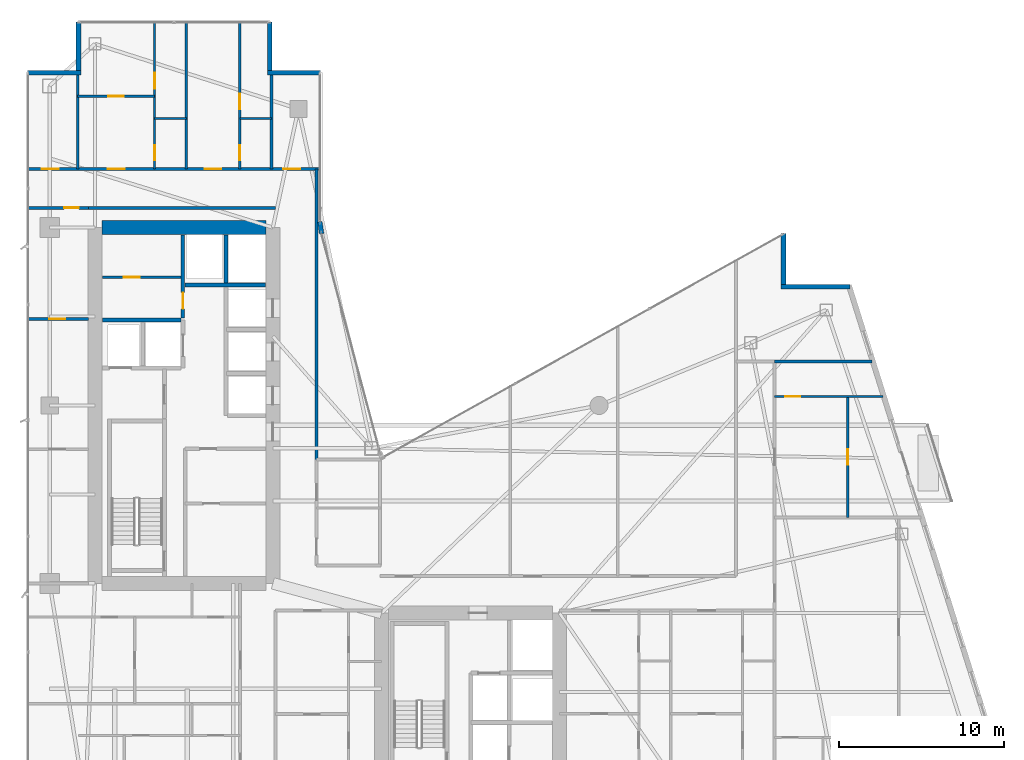
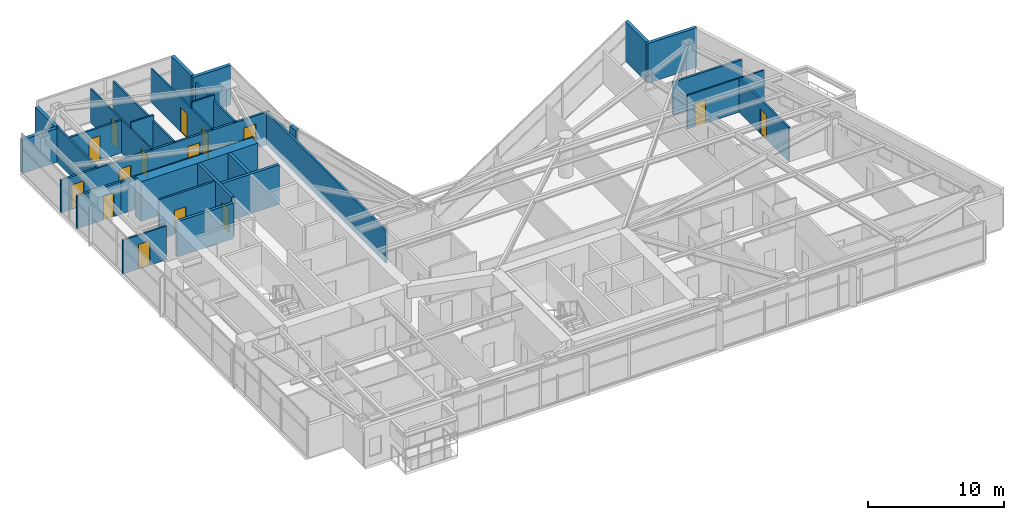
# One storey, part 25 of 28: 29 walls, 15 doors, 15 openings.
"""IFC4 building model written with IfcOpenShell, lengths in metres."""

from ifc_helpers import new_model, si_unit, direction, frame, frame_2d, origin, place, context, subcontext, project, spatial, rectangle, extrude, material, layer, layer_set, type_object, element, fill, save


model = new_model("IFC4")

# Units and contexts
model_context = context("Model", 3, precision=1e-05, world=origin(), true_north=direction((0.0, 1.0)))
body_context = subcontext(model_context, "Body", "Model", "MODEL_VIEW")
ifc_project = project(units=[si_unit("LENGTHUNIT", "METRE"), si_unit("AREAUNIT", "SQUARE_METRE"), si_unit("VOLUMEUNIT", "CUBIC_METRE"), si_unit("PLANEANGLEUNIT", "RADIAN"), si_unit("MASSUNIT", "GRAM", prefix="KILO")], contexts=[model_context])

# Site, building, storey
site_placement = place(None, origin())
site = spatial("IfcSite", under=ifc_project, at=site_placement, CompositionType="ELEMENT")
building_placement = place(site_placement, origin())
building = spatial("IfcBuilding", under=site, at=building_placement, Name="Calvorn Quay Hotel", CompositionType="ELEMENT")
storey_placement = place(building_placement, frame((0.0, 0.0, 159.89990234375)))
storey = spatial("IfcBuildingStorey", under=building, at=storey_placement, Name="L39", CompositionType="ELEMENT", Elevation=159.89990234375)

# Wall
ifc_material_1 = material(Name="Concrete C50", Category="concrete")
ifc_layer_1 = layer(ifc_material_1, 0.85009765625)
ifc_layer_set_1 = layer_set([ifc_layer_1], Name="WL-CORE-850")
wall_type_1 = type_object("IfcWallType", Name="WL-CORE-850", PredefinedType="SHEAR", material=ifc_layer_set_1)
wall_1_placement = place(storey_placement, frame((4.625, 38.39990234375, 0.0), z_axis=(0.0, 0.0, 1.0), x_axis=(1.0, 0.0, 0.0)))
element("IfcWall", 1, at=wall_1_placement, inside=storey, type_object=wall_type_1, Name="West Core Shear Wall N (L39)", PredefinedType="SHEAR", context=body_context, shape_type="SweptSolid", body=[
    extrude(rectangle(XDim=9.949951171875, YDim=0.85009765625, at=frame_2d((4.97509765625, 0.0))), origin(), (0.0, 0.0, 1.0), 3.56005859375),
])

# Wall, opening, door
ifc_material_2 = material(Name="Acoustic Fireboard Steel-Stud Partition", Category="steel")
ifc_layer_2 = layer(ifc_material_2, 0.179931640625)
ifc_layer_set_2 = layer_set([ifc_layer_2], Name="WL-CORR-FIRE-180")
wall_type_2 = type_object("IfcWallType", Name="WL-CORR-FIRE-180", PredefinedType="PARTITIONING", material=ifc_layer_set_2)
wall_2_placement = place(storey_placement, frame((0.080078125, 39.60009765625, 0.0), z_axis=(0.0, 0.0, 1.0), x_axis=(1.0, 0.0, 0.0)))
wall_2 = element("IfcWall", 2, at=wall_2_placement, inside=storey, type_object=wall_type_2, Name="Partition Wall L39-WL-WBAY-N-DOOR", PredefinedType="PARTITIONING", context=body_context, shape_type="SweptSolid", body=[
    extrude(rectangle(XDim=3.724853515625, YDim=0.179931640625, at=frame_2d((1.8623046875, 0.0))), origin(), (0.0, 0.0, 1.0), 2.940185546875),
])
opening_1_placement = place(wall_2_placement, frame((2.25, 0.0, 0.0)))
opening_1 = element("IfcOpeningElement", 3, at=opening_1_placement, cuts=wall_2, Name="Opening D-L39-WBN", PredefinedType="OPENING", context=body_context, shape_type="SweptSolid", body=[
    extrude(rectangle(XDim=0.89990234375, YDim=2.14990234375, at=frame_2d((0.449951171875, 1.074951171875))), frame((0.0, 0.099853515625, 0.0), z_axis=(0.0, -1.0, 0.0), x_axis=(1.0, 0.0, 0.0)), (0.0, 0.0, 1.0), 0.199951171875),
])
ifc_material_3 = material(Name="Moisture-Sealed Timber En-Suite Door", Category="wood")
door_type_1 = type_object("IfcDoorType", Name="DR-ENSUITE-900", OperationType="NOTDEFINED", PredefinedType="DOOR", material=ifc_material_3)
door_1_placement = place(opening_1_placement, origin())
door_1 = element("IfcDoor", 4, at=door_1_placement, inside=storey, type_object=door_type_1, Name="West North Bay Door (L39)", OperationType="SINGLE_SWING_LEFT", OverallHeight=2.14990234375, OverallWidth=0.89990234375, PredefinedType="DOOR", context=body_context, shape_type="SweptSolid", body=[
    extrude(rectangle(XDim=0.89990234375, YDim=2.14990234375, at=frame_2d((0.449951171875, 1.074951171875))), frame((0.0, 0.02490234375, 0.0), z_axis=(0.0, -1.0, 0.0), x_axis=(1.0, 0.0, 0.0)), (0.0, 0.0, 1.0), 0.050048828125),
])
fill(opening_1, door_1)

# Wall, openings, doors
wall_3_placement = place(storey_placement, frame((0.080078125, 41.949951171875, 0.0), z_axis=(0.0, 0.0, 1.0), x_axis=(1.0, 0.0, 0.0)))
wall_3 = element("IfcWall", 5, at=wall_3_placement, inside=storey, type_object=wall_type_2, Name="Partition Wall L39-WL-CORR-NW-N", PredefinedType="PARTITIONING", context=body_context, shape_type="SweptSolid", body=[
    extrude(rectangle(XDim=17.77001953125, YDim=0.179931640625, at=frame_2d((8.885009765625, 0.0))), origin(), (0.0, 0.0, 1.0), 2.940185546875),
])
opening_2_placement = place(wall_3_placement, frame((0.89990234375, 0.0, 0.0)))
opening_2 = element("IfcOpeningElement", 6, at=opening_2_placement, cuts=wall_3, Name="Opening D-L39-NWW", PredefinedType="OPENING", context=body_context, shape_type="SweptSolid", body=[
    extrude(rectangle(XDim=1.02001953125, YDim=2.199951171875, at=frame_2d((0.510009765625, 1.10009765625))), frame((0.0, 0.099853515625, 0.0), z_axis=(0.0, -1.0, 0.0), x_axis=(1.0, 0.0, 0.0)), (0.0, 0.0, 1.0), 0.199951171875),
])
opening_3_placement = place(wall_3_placement, frame((4.89990234375, 0.0, 0.0)))
opening_3 = element("IfcOpeningElement", 7, at=opening_3_placement, cuts=wall_3, Name="Opening D-L39-U04", PredefinedType="OPENING", context=body_context, shape_type="SweptSolid", body=[
    extrude(rectangle(XDim=1.02001953125, YDim=2.199951171875, at=frame_2d((0.510009765625, 1.10009765625))), frame((0.0, 0.099853515625, 0.0), z_axis=(0.0, -1.0, 0.0), x_axis=(1.0, 0.0, 0.0)), (0.0, 0.0, 1.0), 0.199951171875),
])
opening_4_placement = place(wall_3_placement, frame((10.780029296875, 0.0, 0.0)))
opening_4 = element("IfcOpeningElement", 8, at=opening_4_placement, cuts=wall_3, Name="Opening D-L39-U05", PredefinedType="OPENING", context=body_context, shape_type="SweptSolid", body=[
    extrude(rectangle(XDim=1.02001953125, YDim=2.199951171875, at=frame_2d((0.510009765625, 1.10009765625))), frame((0.0, 0.099853515625, 0.0), z_axis=(0.0, -1.0, 0.0), x_axis=(1.0, 0.0, 0.0)), (0.0, 0.0, 1.0), 0.199951171875),
])
opening_5_placement = place(wall_3_placement, frame((15.550048828125, 0.0, 0.0)))
opening_5 = element("IfcOpeningElement", 9, at=opening_5_placement, cuts=wall_3, Name="Opening D-L39-NWE", PredefinedType="OPENING", context=body_context, shape_type="SweptSolid", body=[
    extrude(rectangle(XDim=1.02001953125, YDim=2.199951171875, at=frame_2d((0.510009765625, 1.10009765625))), frame((0.0, 0.099853515625, 0.0), z_axis=(0.0, -1.0, 0.0), x_axis=(1.0, 0.0, 0.0)), (0.0, 0.0, 1.0), 0.199951171875),
])
ifc_material_4 = material(Name="Solid-Core Walnut Veneer Hotel Fire Door")
door_type_2 = type_object("IfcDoorType", Name="DR-GUEST-ENTRY-1020", OperationType="NOTDEFINED", PredefinedType="DOOR", material=ifc_material_4)
door_2_placement = place(opening_2_placement, origin())
door_2 = element("IfcDoor", 10, at=door_2_placement, inside=storey, type_object=door_type_2, Name="West Corner Study Door (L39)", OperationType="SINGLE_SWING_LEFT", OverallHeight=2.199951171875, OverallWidth=1.02001953125, PredefinedType="DOOR", context=body_context, shape_type="SweptSolid", body=[
    extrude(rectangle(XDim=1.02001953125, YDim=2.199951171875, at=frame_2d((0.510009765625, 1.10009765625))), frame((0.0, 0.02490234375, 0.0), z_axis=(0.0, -1.0, 0.0), x_axis=(1.0, 0.0, 0.0)), (0.0, 0.0, 1.0), 0.050048828125),
])
fill(opening_2, door_2)
door_3_placement = place(opening_3_placement, origin())
door_3 = element("IfcDoor", 11, at=door_3_placement, inside=storey, type_object=door_type_2, Name="North-West Unit Door U04 (L39)", OperationType="SINGLE_SWING_RIGHT", OverallHeight=2.199951171875, OverallWidth=1.02001953125, PredefinedType="DOOR", context=body_context, shape_type="SweptSolid", body=[
    extrude(rectangle(XDim=1.02001953125, YDim=2.199951171875, at=frame_2d((0.510009765625, 1.10009765625))), frame((0.0, 0.02490234375, 0.0), z_axis=(0.0, -1.0, 0.0), x_axis=(1.0, 0.0, 0.0)), (0.0, 0.0, 1.0), 0.050048828125),
])
fill(opening_3, door_3)
door_4_placement = place(opening_4_placement, origin())
door_4 = element("IfcDoor", 12, at=door_4_placement, inside=storey, type_object=door_type_2, Name="North-West Unit Door U05 (L39)", OperationType="SINGLE_SWING_LEFT", OverallHeight=2.199951171875, OverallWidth=1.02001953125, PredefinedType="DOOR", context=body_context, shape_type="SweptSolid", body=[
    extrude(rectangle(XDim=1.02001953125, YDim=2.199951171875, at=frame_2d((0.510009765625, 1.10009765625))), frame((0.0, 0.02490234375, 0.0), z_axis=(0.0, -1.0, 0.0), x_axis=(1.0, 0.0, 0.0)), (0.0, 0.0, 1.0), 0.050048828125),
])
fill(opening_4, door_4)
door_5_placement = place(opening_5_placement, origin())
door_5 = element("IfcDoor", 13, at=door_5_placement, inside=storey, type_object=door_type_2, Name="Inner Court Study Door (L39)", OperationType="SINGLE_SWING_RIGHT", OverallHeight=2.199951171875, OverallWidth=1.02001953125, PredefinedType="DOOR", context=body_context, shape_type="SweptSolid", body=[
    extrude(rectangle(XDim=1.02001953125, YDim=2.199951171875, at=frame_2d((0.510009765625, 1.10009765625))), frame((0.0, 0.02490234375, 0.0), z_axis=(0.0, -1.0, 0.0), x_axis=(1.0, 0.0, 0.0)), (0.0, 0.0, 1.0), 0.050048828125),
])
fill(opening_5, door_5)

# Walls
wall_4_placement = place(storey_placement, frame((17.64990234375, 24.300048828125, 0.0), z_axis=(0.0, 0.0, 1.0), x_axis=(0.0, 1.0, 0.0)))
element("IfcWall", 14, at=wall_4_placement, inside=storey, type_object=wall_type_2, Name="Partition Wall L39-WL-NW-CLOSURE-E", PredefinedType="PARTITIONING", context=body_context, shape_type="SweptSolid", body=[
    extrude(rectangle(XDim=17.64990234375, YDim=0.179931640625, at=frame_2d((8.824951171875, 0.0))), origin(), (0.0, 0.0, 1.0), 2.940185546875),
])
wall_5_placement = place(storey_placement, frame((3.7548828125, 39.60009765625, 0.0), z_axis=(0.0, 0.0, 1.0), x_axis=(1.0, 0.0, 0.0)))
element("IfcWall", 15, at=wall_5_placement, inside=storey, type_object=wall_type_2, Name="Partition Wall L39-WL-W-SPUR-S", PredefinedType="PARTITIONING", context=body_context, shape_type="SweptSolid", body=[
    extrude(rectangle(XDim=11.39501953125, YDim=0.179931640625, at=frame_2d((5.697509765625, 0.0))), origin(), (0.0, 0.0, 1.0), 2.940185546875),
])
wall_6_placement = place(storey_placement, frame((45.449951171875, 30.280029296875, 0.0), z_axis=(0.0, 0.0, 1.0), x_axis=(1.0, 0.0, 0.0)))
element("IfcWall", 16, at=wall_6_placement, inside=storey, type_object=wall_type_2, Name="Partition Wall L39-WL-TIP-N", PredefinedType="PARTITIONING", context=body_context, shape_type="SweptSolid", body=[
    extrude(rectangle(XDim=5.91015625, YDim=0.179931640625, at=frame_2d((2.955078125, 0.0))), origin(), (0.0, 0.0, 1.0), 2.940185546875),
])
ifc_material_5 = material(Name="Moisture-Resistant Tile-Backed Partition")
ifc_layer_3 = layer(ifc_material_5, 0.125)
ifc_layer_set_3 = layer_set([ifc_layer_3], Name="WL-ENSUITE-125")
wall_type_3 = type_object("IfcWallType", Name="WL-ENSUITE-125", PredefinedType="PARTITIONING", material=ifc_layer_set_3)
wall_7_placement = place(storey_placement, frame((7.820068359375, 45.02001953125, 0.0), z_axis=(0.0, 0.0, 1.0), x_axis=(1.0, 0.0, 0.0)))
element("IfcWall", 17, at=wall_7_placement, inside=storey, type_object=wall_type_3, Name="Partition Wall L39-WL-U04-BDV", PredefinedType="PARTITIONING", context=body_context, shape_type="SweptSolid", body=[
    extrude(rectangle(XDim=1.929931640625, YDim=0.125, at=frame_2d((0.96484375, 0.0))), origin(), (0.0, 0.0, 1.0), 3.56005859375),
])

# Wall, openings, doors
wall_8_placement = place(storey_placement, frame((7.820068359375, 41.949951171875, 0.0), z_axis=(0.0, 0.0, 1.0), x_axis=(0.0, 1.0, 0.0)))
wall_8 = element("IfcWall", 18, at=wall_8_placement, inside=storey, type_object=wall_type_3, Name="Partition Wall L39-WL-U04-BV", PredefinedType="PARTITIONING", context=body_context, shape_type="SweptSolid", body=[
    extrude(rectangle(XDim=8.989990234375, YDim=0.125, at=frame_2d((4.4951171875, 0.0))), origin(), (0.0, 0.0, 1.0), 3.0400390625),
])
opening_6_placement = place(wall_8_placement, frame((0.550048828125, 0.0, 0.0)))
opening_6 = element("IfcOpeningElement", 19, at=opening_6_placement, cuts=wall_8, Name="Opening D-L39-E04", PredefinedType="OPENING", context=body_context, shape_type="SweptSolid", body=[
    extrude(rectangle(XDim=0.89990234375, YDim=2.14990234375, at=frame_2d((0.449951171875, 1.074951171875))), frame((0.0, 0.072509765625, 0.0), z_axis=(0.0, -1.0, 0.0), x_axis=(1.0, 0.0, 0.0)), (0.0, 0.0, 1.0), 0.14501953125),
])
opening_7_placement = place(wall_8_placement, frame((4.8798828125, 0.0, 0.0)))
opening_7 = element("IfcOpeningElement", 20, at=opening_7_placement, cuts=wall_8, Name="Opening D-L39-S04", PredefinedType="OPENING", context=body_context, shape_type="SweptSolid", body=[
    extrude(rectangle(XDim=0.9599609375, YDim=2.199951171875, at=frame_2d((0.47998046875, 1.10009765625))), frame((0.0, 0.072509765625, 0.0), z_axis=(0.0, -1.0, 0.0), x_axis=(1.0, 0.0, 0.0)), (0.0, 0.0, 1.0), 0.14501953125),
])
door_6_placement = place(opening_6_placement, origin())
door_6 = element("IfcDoor", 21, at=door_6_placement, inside=storey, type_object=door_type_1, Name="En-Suite Door 04", OperationType="SINGLE_SWING_LEFT", OverallHeight=2.14990234375, OverallWidth=0.89990234375, PredefinedType="DOOR", context=body_context, shape_type="SweptSolid", body=[
    extrude(rectangle(XDim=0.89990234375, YDim=2.14990234375, at=frame_2d((0.449951171875, 1.074951171875))), frame((0.0, 0.02490234375, 0.0), z_axis=(0.0, -1.0, 0.0), x_axis=(1.0, 0.0, 0.0)), (0.0, 0.0, 1.0), 0.050048828125),
])
fill(opening_6, door_6)
ifc_material_6 = material(Name="Solid Timber Internal Suite Door", Category="wood")
door_type_3 = type_object("IfcDoorType", Name="DR-SUITE-INT-960", OperationType="NOTDEFINED", PredefinedType="DOOR", material=ifc_material_6)
door_7_placement = place(opening_7_placement, origin())
door_7 = element("IfcDoor", 22, at=door_7_placement, inside=storey, type_object=door_type_3, Name="Botanical Winter Garden Door 04", OperationType="SINGLE_SWING_RIGHT", OverallHeight=2.199951171875, OverallWidth=0.9599609375, PredefinedType="DOOR", context=body_context, shape_type="SweptSolid", body=[
    extrude(rectangle(XDim=0.9599609375, YDim=2.199951171875, at=frame_2d((0.47998046875, 1.10009765625))), frame((0.0, 0.02490234375, 0.0), z_axis=(0.0, -1.0, 0.0), x_axis=(1.0, 0.0, 0.0)), (0.0, 0.0, 1.0), 0.050048828125),
])
fill(opening_7, door_7)

# Wall
wall_9_placement = place(storey_placement, frame((12.989990234375, 45.02001953125, 0.0), z_axis=(0.0, 0.0, 1.0), x_axis=(1.0, 0.0, 0.0)))
element("IfcWall", 23, at=wall_9_placement, inside=storey, type_object=wall_type_3, Name="Partition Wall L39-WL-U05-BDV", PredefinedType="PARTITIONING", context=body_context, shape_type="SweptSolid", body=[
    extrude(rectangle(XDim=1.929931640625, YDim=0.125, at=frame_2d((0.96484375, 0.0))), origin(), (0.0, 0.0, 1.0), 3.56005859375),
])

# Wall, openings, doors
wall_10_placement = place(storey_placement, frame((12.989990234375, 41.949951171875, 0.0), z_axis=(0.0, 0.0, 1.0), x_axis=(0.0, 1.0, 0.0)))
wall_10 = element("IfcWall", 24, at=wall_10_placement, inside=storey, type_object=wall_type_3, Name="Partition Wall L39-WL-U05-BV", PredefinedType="PARTITIONING", context=body_context, shape_type="SweptSolid", body=[
    extrude(rectangle(XDim=8.989990234375, YDim=0.125, at=frame_2d((4.4951171875, 0.0))), origin(), (0.0, 0.0, 1.0), 3.0400390625),
])
opening_8_placement = place(wall_10_placement, frame((0.550048828125, 0.0, 0.0)))
opening_8 = element("IfcOpeningElement", 25, at=opening_8_placement, cuts=wall_10, Name="Opening D-L39-E05", PredefinedType="OPENING", context=body_context, shape_type="SweptSolid", body=[
    extrude(rectangle(XDim=0.89990234375, YDim=2.14990234375, at=frame_2d((0.449951171875, 1.074951171875))), frame((0.0, 0.072509765625, 0.0), z_axis=(0.0, -1.0, 0.0), x_axis=(1.0, 0.0, 0.0)), (0.0, 0.0, 1.0), 0.14501953125),
])
opening_9_placement = place(wall_10_placement, frame((3.6201171875, 0.0, 0.0)))
opening_9 = element("IfcOpeningElement", 26, at=opening_9_placement, cuts=wall_10, Name="Opening D-L39-S05", PredefinedType="OPENING", context=body_context, shape_type="SweptSolid", body=[
    extrude(rectangle(XDim=0.9599609375, YDim=2.199951171875, at=frame_2d((0.47998046875, 1.10009765625))), frame((0.0, 0.072509765625, 0.0), z_axis=(0.0, -1.0, 0.0), x_axis=(1.0, 0.0, 0.0)), (0.0, 0.0, 1.0), 0.14501953125),
])
door_8_placement = place(opening_8_placement, origin())
door_8 = element("IfcDoor", 27, at=door_8_placement, inside=storey, type_object=door_type_1, Name="En-Suite Door 05", OperationType="SINGLE_SWING_LEFT", OverallHeight=2.14990234375, OverallWidth=0.89990234375, PredefinedType="DOOR", context=body_context, shape_type="SweptSolid", body=[
    extrude(rectangle(XDim=0.89990234375, YDim=2.14990234375, at=frame_2d((0.449951171875, 1.074951171875))), frame((0.0, 0.02490234375, 0.0), z_axis=(0.0, -1.0, 0.0), x_axis=(1.0, 0.0, 0.0)), (0.0, 0.0, 1.0), 0.050048828125),
])
fill(opening_8, door_8)
door_9_placement = place(opening_9_placement, origin())
door_9 = element("IfcDoor", 28, at=door_9_placement, inside=storey, type_object=door_type_3, Name="Botanical Winter Garden Door 05", OperationType="SINGLE_SWING_RIGHT", OverallHeight=2.199951171875, OverallWidth=0.9599609375, PredefinedType="DOOR", context=body_context, shape_type="SweptSolid", body=[
    extrude(rectangle(XDim=0.9599609375, YDim=2.199951171875, at=frame_2d((0.47998046875, 1.10009765625))), frame((0.0, 0.02490234375, 0.0), z_axis=(0.0, -1.0, 0.0), x_axis=(1.0, 0.0, 0.0)), (0.0, 0.0, 1.0), 0.050048828125),
])
fill(opening_9, door_9)

# Wall, opening, door
wall_11_placement = place(storey_placement, frame((45.449951171875, 28.14990234375, 0.0), z_axis=(0.0, 0.0, 1.0), x_axis=(1.0, 0.0, 0.0)))
wall_11 = element("IfcWall", 29, at=wall_11_placement, inside=storey, type_object=wall_type_3, Name="Partition Wall L39-WL-U09-BH", PredefinedType="PARTITIONING", context=body_context, shape_type="SweptSolid", body=[
    extrude(rectangle(XDim=6.580078125, YDim=0.125, at=frame_2d((3.2900390625, 0.0))), origin(), (0.0, 0.0, 1.0), 3.0400390625),
])
opening_10_placement = place(wall_11_placement, frame((0.64990234375, 0.0, 0.0)))
opening_10 = element("IfcOpeningElement", 30, at=opening_10_placement, cuts=wall_11, Name="Opening D-L39-E09", PredefinedType="OPENING", context=body_context, shape_type="SweptSolid", body=[
    extrude(rectangle(XDim=0.89990234375, YDim=2.14990234375, at=frame_2d((0.449951171875, 1.074951171875))), frame((0.0, 0.072509765625, 0.0), z_axis=(0.0, -1.0, 0.0), x_axis=(1.0, 0.0, 0.0)), (0.0, 0.0, 1.0), 0.14501953125),
])
door_10_placement = place(opening_10_placement, origin())
door_10 = element("IfcDoor", 31, at=door_10_placement, inside=storey, type_object=door_type_1, Name="En-Suite Door 09", OperationType="SINGLE_SWING_LEFT", OverallHeight=2.14990234375, OverallWidth=0.89990234375, PredefinedType="DOOR", context=body_context, shape_type="SweptSolid", body=[
    extrude(rectangle(XDim=0.89990234375, YDim=2.14990234375, at=frame_2d((0.449951171875, 1.074951171875))), frame((0.0, 0.02490234375, 0.0), z_axis=(0.0, -1.0, 0.0), x_axis=(1.0, 0.0, 0.0)), (0.0, 0.0, 1.0), 0.050048828125),
])
fill(opening_10, door_10)

# Walls
ifc_material_7 = material(Name="Concrete C40", Category="concrete")
ifc_layer_4 = layer(ifc_material_7, 0.320068359375)
ifc_layer_set_4 = layer_set([ifc_layer_4], Name="WL-EXT-SPANDREL-320")
wall_type_4 = type_object("IfcWallType", Name="WL-EXT-SPANDREL-320", PredefinedType="SOLIDWALL", material=ifc_layer_set_4)
wall_12_placement = place(storey_placement, frame((17.9619140625, 38.030029296875, 0.0), z_axis=(0.0, 0.0, 1.0), x_axis=(-0.15141125477, 0.988470855377, 0.0)))
element("IfcWall", 32, at=wall_12_placement, inside=storey, type_object=wall_type_4, Name="Inner Court Corner Pier L39-ICJ2", PredefinedType="SOLIDWALL", context=body_context, shape_type="SweptSolid", body=[
    extrude(rectangle(XDim=0.738525390625, YDim=0.280029296875, at=frame_2d((0.369140625, 0.0))), origin(), (0.0, 0.0, 1.0), 3.56005859375),
])
wall_13_placement = place(storey_placement, frame((50.0400390625, 34.800048828125, 0.0), z_axis=(0.0, 0.0, 1.0), x_axis=(-1.0, 0.0, 0.0)))
element("IfcWall", 33, at=wall_13_placement, inside=storey, type_object=wall_type_4, Name="Notched Corner Spandrel L39-NE1", PredefinedType="SOLIDWALL", context=body_context, shape_type="SweptSolid", body=[
    extrude(rectangle(XDim=4.179931640625, YDim=0.280029296875, at=frame_2d((2.08984375, 0.0))), origin(), (0.0, 0.0, 1.0), 3.56005859375),
])
wall_14_placement = place(storey_placement, frame((46.0, 34.93994140625, 0.0), z_axis=(0.0, 0.0, 1.0), x_axis=(0.0, 1.0, 0.0)))
element("IfcWall", 34, at=wall_14_placement, inside=storey, type_object=wall_type_4, Name="Notched Corner Spandrel L39-NE2", PredefinedType="SOLIDWALL", context=body_context, shape_type="SweptSolid", body=[
    extrude(rectangle(XDim=3.10009765625, YDim=0.280029296875, at=frame_2d((1.550048828125, 0.0))), origin(), (0.0, 0.0, 1.0), 3.56005859375),
])
wall_15_placement = place(storey_placement, frame((17.89990234375, 47.800048828125, 0.0), z_axis=(0.0, 0.0, 1.0), x_axis=(-1.0, 0.0, 0.0)))
element("IfcWall", 35, at=wall_15_placement, inside=storey, type_object=wall_type_4, Name="Notched Corner Spandrel L39-NWE1", PredefinedType="SOLIDWALL", context=body_context, shape_type="SweptSolid", body=[
    extrude(rectangle(XDim=3.239990234375, YDim=0.280029296875, at=frame_2d((1.6201171875, 0.0))), origin(), (0.0, 0.0, 1.0), 3.56005859375),
])
wall_16_placement = place(storey_placement, frame((14.800048828125, 47.93994140625, 0.0), z_axis=(0.0, 0.0, 1.0), x_axis=(0.0, 1.0, 0.0)))
element("IfcWall", 36, at=wall_16_placement, inside=storey, type_object=wall_type_4, Name="Notched Corner Spandrel L39-NWE2", PredefinedType="SOLIDWALL", context=body_context, shape_type="SweptSolid", body=[
    extrude(rectangle(XDim=2.93994140625, YDim=0.280029296875, at=frame_2d((1.469970703125, 0.0))), origin(), (0.0, 0.0, 1.0), 3.56005859375),
])
wall_17_placement = place(storey_placement, frame((3.199951171875, 50.8798828125, 0.0), z_axis=(0.0, 0.0, 1.0), x_axis=(0.0, -1.0, 0.0)))
element("IfcWall", 37, at=wall_17_placement, inside=storey, type_object=wall_type_4, Name="Notched Corner Spandrel L39-NW1", PredefinedType="SOLIDWALL", context=body_context, shape_type="SweptSolid", body=[
    extrude(rectangle(XDim=2.93994140625, YDim=0.280029296875, at=frame_2d((1.469970703125, 0.0))), origin(), (0.0, 0.0, 1.0), 3.0400390625),
])
wall_18_placement = place(storey_placement, frame((3.340087890625, 47.800048828125, 0.0), z_axis=(0.0, 0.0, 1.0), x_axis=(-1.0, 0.0, 0.0)))
element("IfcWall", 38, at=wall_18_placement, inside=storey, type_object=wall_type_4, Name="Notched Corner Spandrel L39-NW2", PredefinedType="SOLIDWALL", context=body_context, shape_type="SweptSolid", body=[
    extrude(rectangle(XDim=3.219970703125, YDim=0.280029296875, at=frame_2d((1.60986328125, 0.0))), origin(), (0.0, 0.0, 1.0), 3.0400390625),
])

# Wall, opening, door
ifc_material_8 = material(Name="Double-Stud Acoustic Gypsum Partition")
ifc_layer_5 = layer(ifc_material_8, 0.159912109375)
ifc_layer_set_5 = layer_set([ifc_layer_5], Name="WL-INTERSUITE-160")
wall_type_5 = type_object("IfcWallType", Name="WL-INTERSUITE-160", PredefinedType="PARTITIONING", material=ifc_layer_set_5)
wall_19_placement = place(storey_placement, frame((4.64501953125, 35.3798828125, 0.0), z_axis=(0.0, 0.0, 1.0), x_axis=(1.0, 0.0, 0.0)))
wall_19 = element("IfcWall", 39, at=wall_19_placement, inside=storey, type_object=wall_type_5, Name="Partition Wall L39-WL-CWW-K-MID", PredefinedType="PARTITIONING", context=body_context, shape_type="SweptSolid", body=[
    extrude(rectangle(XDim=4.77490234375, YDim=0.159912109375, at=frame_2d((2.387451171875, 0.0))), origin(), (0.0, 0.0, 1.0), 3.56005859375),
])
opening_11_placement = place(wall_19_placement, frame((1.300048828125, 0.0, 0.0)))
opening_11 = element("IfcOpeningElement", 40, at=opening_11_placement, cuts=wall_19, Name="Opening D-L39-CK2", PredefinedType="OPENING", context=body_context, shape_type="SweptSolid", body=[
    extrude(rectangle(XDim=0.97998046875, YDim=2.14990234375, at=frame_2d((0.489990234375, 1.074951171875))), frame((0.0, 0.08984375, 0.0), z_axis=(0.0, -1.0, 0.0), x_axis=(1.0, 0.0, 0.0)), (0.0, 0.0, 1.0), 0.179931640625),
])
ifc_material_9 = material(Name="Painted Steel Housekeeping/Riser Fire Door", Category="steel")
door_type_4 = type_object("IfcDoorType", Name="DR-SERVICE-980", OperationType="NOTDEFINED", PredefinedType="DOOR", material=ifc_material_9)
door_11_placement = place(opening_11_placement, origin())
door_11 = element("IfcDoor", 41, at=door_11_placement, inside=storey, type_object=door_type_4, Name="Electrical Riser Door (L39)", OperationType="SINGLE_SWING_RIGHT", OverallHeight=2.14990234375, OverallWidth=0.97998046875, PredefinedType="DOOR", context=body_context, shape_type="SweptSolid", body=[
    extrude(rectangle(XDim=0.97998046875, YDim=2.14990234375, at=frame_2d((0.489990234375, 1.074951171875))), frame((0.0, 0.02490234375, 0.0), z_axis=(0.0, -1.0, 0.0), x_axis=(1.0, 0.0, 0.0)), (0.0, 0.0, 1.0), 0.050048828125),
])
fill(opening_11, door_11)

wall_20_placement = place(storey_placement, frame((0.080078125, 32.85009765625, 0.0), z_axis=(0.0, 0.0, 1.0), x_axis=(1.0, 0.0, 0.0)))
wall_20 = element("IfcWall", 42, at=wall_20_placement, inside=storey, type_object=wall_type_5, Name="Partition Wall L39-WL-WBAY-DIVB", PredefinedType="PARTITIONING", context=body_context, shape_type="SweptSolid", body=[
    extrude(rectangle(XDim=3.724853515625, YDim=0.159912109375, at=frame_2d((1.8623046875, 0.0))), origin(), (0.0, 0.0, 1.0), 3.0400390625),
])
opening_12_placement = place(wall_20_placement, frame((1.35009765625, 0.0, 0.0)))
opening_12 = element("IfcOpeningElement", 43, at=opening_12_placement, cuts=wall_20, Name="Opening D-L39-WBB", PredefinedType="OPENING", context=body_context, shape_type="SweptSolid", body=[
    extrude(rectangle(XDim=0.9599609375, YDim=2.199951171875, at=frame_2d((0.47998046875, 1.10009765625))), frame((0.0, 0.08984375, 0.0), z_axis=(0.0, -1.0, 0.0), x_axis=(1.0, 0.0, 0.0)), (0.0, 0.0, 1.0), 0.179931640625),
])
door_12_placement = place(opening_12_placement, origin())
door_12 = element("IfcDoor", 44, at=door_12_placement, inside=storey, type_object=door_type_3, Name="West North Connecting Door (L39)", OperationType="SINGLE_SWING_RIGHT", OverallHeight=2.199951171875, OverallWidth=0.9599609375, PredefinedType="DOOR", context=body_context, shape_type="SweptSolid", body=[
    extrude(rectangle(XDim=0.9599609375, YDim=2.199951171875, at=frame_2d((0.47998046875, 1.10009765625))), frame((0.0, 0.02490234375, 0.0), z_axis=(0.0, -1.0, 0.0), x_axis=(1.0, 0.0, 0.0)), (0.0, 0.0, 1.0), 0.050048828125),
])
fill(opening_12, door_12)

# Walls
wall_21_placement = place(storey_placement, frame((3.14990234375, 41.949951171875, 0.0), z_axis=(0.0, 0.0, 1.0), x_axis=(0.0, 1.0, 0.0)))
element("IfcWall", 45, at=wall_21_placement, inside=storey, type_object=wall_type_5, Name="Partition Wall L39-WL-NW-DIV-W0", PredefinedType="PARTITIONING", context=body_context, shape_type="SweptSolid", body=[
    extrude(rectangle(XDim=5.85009765625, YDim=0.159912109375, at=frame_2d((2.925048828125, 0.0))), origin(), (0.0, 0.0, 1.0), 3.14013671875),
])
wall_22_placement = place(storey_placement, frame((14.919921875, 41.949951171875, 0.0), z_axis=(0.0, 0.0, 1.0), x_axis=(0.0, 1.0, 0.0)))
element("IfcWall", 46, at=wall_22_placement, inside=storey, type_object=wall_type_5, Name="Partition Wall L39-WL-NW-DIV-E0", PredefinedType="PARTITIONING", context=body_context, shape_type="SweptSolid", body=[
    extrude(rectangle(XDim=5.85009765625, YDim=0.159912109375, at=frame_2d((2.925048828125, 0.0))), origin(), (0.0, 0.0, 1.0), 3.0400390625),
])

# Wall, opening, door
wall_23_placement = place(storey_placement, frame((3.14990234375, 46.3798828125, 0.0), z_axis=(0.0, 0.0, 1.0), x_axis=(1.0, 0.0, 0.0)))
wall_23 = element("IfcWall", 47, at=wall_23_placement, inside=storey, type_object=wall_type_5, Name="Partition Wall L39-WL-U04-MSP", PredefinedType="PARTITIONING", context=body_context, shape_type="SweptSolid", body=[
    extrude(rectangle(XDim=4.670166015625, YDim=0.159912109375, at=frame_2d((2.3349609375, 0.0))), origin(), (0.0, 0.0, 1.0), 2.940185546875),
])
opening_13_placement = place(wall_23_placement, frame((1.85009765625, 0.0, 0.0)))
opening_13 = element("IfcOpeningElement", 48, at=opening_13_placement, cuts=wall_23, Name="Opening D-L39-M04", PredefinedType="OPENING", context=body_context, shape_type="SweptSolid", body=[
    extrude(rectangle(XDim=0.9599609375, YDim=2.199951171875, at=frame_2d((0.47998046875, 1.10009765625))), frame((0.0, 0.08984375, 0.0), z_axis=(0.0, -1.0, 0.0), x_axis=(1.0, 0.0, 0.0)), (0.0, 0.0, 1.0), 0.179931640625),
])
door_13_placement = place(opening_13_placement, origin())
door_13 = element("IfcDoor", 49, at=door_13_placement, inside=storey, type_object=door_type_3, Name="Suite Bedroom Door 04", OperationType="SINGLE_SWING_LEFT", OverallHeight=2.199951171875, OverallWidth=0.9599609375, PredefinedType="DOOR", context=body_context, shape_type="SweptSolid", body=[
    extrude(rectangle(XDim=0.9599609375, YDim=2.199951171875, at=frame_2d((0.47998046875, 1.10009765625))), frame((0.0, 0.02490234375, 0.0), z_axis=(0.0, -1.0, 0.0), x_axis=(1.0, 0.0, 0.0)), (0.0, 0.0, 1.0), 0.050048828125),
])
fill(opening_13, door_13)

# Wall
wall_24_placement = place(storey_placement, frame((9.75, 41.949951171875, 0.0), z_axis=(0.0, 0.0, 1.0), x_axis=(0.0, 1.0, 0.0)))
element("IfcWall", 50, at=wall_24_placement, inside=storey, type_object=wall_type_5, Name="Partition Wall L39-WL-NW-DIV-1", PredefinedType="PARTITIONING", context=body_context, shape_type="SweptSolid", body=[
    extrude(rectangle(XDim=8.989990234375, YDim=0.159912109375, at=frame_2d((4.4951171875, 0.0))), origin(), (0.0, 0.0, 1.0), 3.0400390625),
])

# Wall, opening, door
wall_25_placement = place(storey_placement, frame((49.89990234375, 20.800048828125, 0.0), z_axis=(0.0, 0.0, 1.0), x_axis=(0.0, 1.0, 0.0)))
wall_25 = element("IfcWall", 51, at=wall_25_placement, inside=storey, type_object=wall_type_5, Name="Partition Wall L39-WL-U09-MSP", PredefinedType="PARTITIONING", context=body_context, shape_type="SweptSolid", body=[
    extrude(rectangle(XDim=7.349853515625, YDim=0.159912109375, at=frame_2d((3.6748046875, 0.0))), origin(), (0.0, 0.0, 1.0), 3.0400390625),
])
opening_14_placement = place(wall_25_placement, frame((3.18994140625, 0.0, 0.0)))
opening_14 = element("IfcOpeningElement", 52, at=opening_14_placement, cuts=wall_25, Name="Opening D-L39-M09", PredefinedType="OPENING", context=body_context, shape_type="SweptSolid", body=[
    extrude(rectangle(XDim=0.9599609375, YDim=2.199951171875, at=frame_2d((0.47998046875, 1.10009765625))), frame((0.0, 0.08984375, 0.0), z_axis=(0.0, -1.0, 0.0), x_axis=(1.0, 0.0, 0.0)), (0.0, 0.0, 1.0), 0.179931640625),
])
door_14_placement = place(opening_14_placement, origin())
door_14 = element("IfcDoor", 53, at=door_14_placement, inside=storey, type_object=door_type_3, Name="Suite Bedroom Door 09", OperationType="SINGLE_SWING_LEFT", OverallHeight=2.199951171875, OverallWidth=0.9599609375, PredefinedType="DOOR", context=body_context, shape_type="SweptSolid", body=[
    extrude(rectangle(XDim=0.9599609375, YDim=2.199951171875, at=frame_2d((0.47998046875, 1.10009765625))), frame((0.0, 0.02490234375, 0.0), z_axis=(0.0, -1.0, 0.0), x_axis=(1.0, 0.0, 0.0)), (0.0, 0.0, 1.0), 0.050048828125),
])
fill(opening_14, door_14)

ifc_material_10 = material(Name="Autoclaved Aerated Masonry Block", Category="masonry")
ifc_layer_6 = layer(ifc_material_10, 0.219970703125)
ifc_layer_set_6 = layer_set([ifc_layer_6], Name="WL-LOBBY-FIRE-220")
wall_type_6 = type_object("IfcWallType", Name="WL-LOBBY-FIRE-220", PredefinedType="SOLIDWALL", material=ifc_layer_set_6)
wall_26_placement = place(storey_placement, frame((9.5400390625, 32.919921875, 0.0), z_axis=(0.0, 0.0, 1.0), x_axis=(0.0, 1.0, 0.0)))
wall_26 = element("IfcWall", 54, at=wall_26_placement, inside=storey, type_object=wall_type_6, Name="Partition Wall L39-WL-CWW-K-E", PredefinedType="SOLIDWALL", context=body_context, shape_type="SweptSolid", body=[
    extrude(rectangle(XDim=5.03515625, YDim=0.219970703125, at=frame_2d((2.517578125, 0.0))), origin(), (0.0, 0.0, 1.0), 3.56005859375),
])
opening_15_placement = place(wall_26_placement, frame((0.550048828125, 0.0, 0.0)))
opening_15 = element("IfcOpeningElement", 55, at=opening_15_placement, cuts=wall_26, Name="Opening D-L39-CK1", PredefinedType="OPENING", context=body_context, shape_type="SweptSolid", body=[
    extrude(rectangle(XDim=0.97998046875, YDim=2.14990234375, at=frame_2d((0.489990234375, 1.074951171875))), frame((0.0, 0.119873046875, 0.0), z_axis=(0.0, -1.0, 0.0), x_axis=(1.0, 0.0, 0.0)), (0.0, 0.0, 1.0), 0.239990234375),
])
door_15_placement = place(opening_15_placement, origin())
door_15 = element("IfcDoor", 56, at=door_15_placement, inside=storey, type_object=door_type_4, Name="Core Housekeeping Door (L39)", OperationType="SINGLE_SWING_LEFT", OverallHeight=2.14990234375, OverallWidth=0.97998046875, PredefinedType="DOOR", context=body_context, shape_type="SweptSolid", body=[
    extrude(rectangle(XDim=0.97998046875, YDim=2.14990234375, at=frame_2d((0.489990234375, 1.074951171875))), frame((0.0, 0.02490234375, 0.0), z_axis=(0.0, -1.0, 0.0), x_axis=(1.0, 0.0, 0.0)), (0.0, 0.0, 1.0), 0.050048828125),
])
fill(opening_15, door_15)

# Walls
ifc_material_11 = material(Name="Concrete C40", Category="concrete")
ifc_layer_7 = layer(ifc_material_11, 0.239990234375)
ifc_layer_set_7 = layer_set([ifc_layer_7], Name="WL-SHAFT-240")
wall_type_7 = type_object("IfcWallType", Name="WL-SHAFT-240", PredefinedType="SOLIDWALL", material=ifc_layer_set_7)
wall_27_placement = place(storey_placement, frame((4.64501953125, 32.780029296875, 0.0), z_axis=(0.0, 0.0, 1.0), x_axis=(1.0, 0.0, 0.0)))
element("IfcWall", 57, at=wall_27_placement, inside=storey, type_object=wall_type_7, Name="Partition Wall L39-WL-CWW-SLW-N", PredefinedType="SOLIDWALL", context=body_context, shape_type="SweptSolid", body=[
    extrude(rectangle(XDim=4.77490234375, YDim=0.239990234375, at=frame_2d((2.387451171875, 0.0))), origin(), (0.0, 0.0, 1.0), 3.190185546875),
])
wall_28_placement = place(storey_placement, frame((9.659912109375, 34.89990234375, 0.0), z_axis=(0.0, 0.0, 1.0), x_axis=(1.0, 0.0, 0.0)))
element("IfcWall", 58, at=wall_28_placement, inside=storey, type_object=wall_type_7, Name="Partition Wall L39-WL-CWW-PLH-S", PredefinedType="SOLIDWALL", context=body_context, shape_type="SweptSolid", body=[
    extrude(rectangle(XDim=4.89501953125, YDim=0.239990234375, at=frame_2d((2.447509765625, 0.0))), origin(), (0.0, 0.0, 1.0), 3.56005859375),
])
wall_29_placement = place(storey_placement, frame((12.14990234375, 35.02001953125, 0.0), z_axis=(0.0, 0.0, 1.0), x_axis=(0.0, 1.0, 0.0)))
element("IfcWall", 59, at=wall_29_placement, inside=storey, type_object=wall_type_7, Name="Partition Wall L39-WL-CWW-PLH-DIV", PredefinedType="SOLIDWALL", context=body_context, shape_type="SweptSolid", body=[
    extrude(rectangle(XDim=2.93505859375, YDim=0.239990234375, at=frame_2d((1.467529296875, 0.0))), origin(), (0.0, 0.0, 1.0), 3.56005859375),
])

save(model, "model.ifc")
